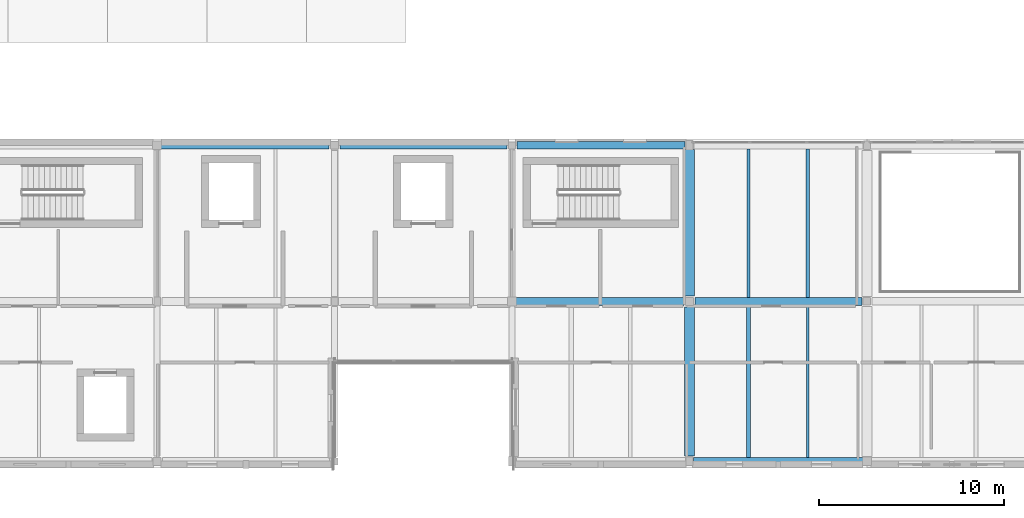
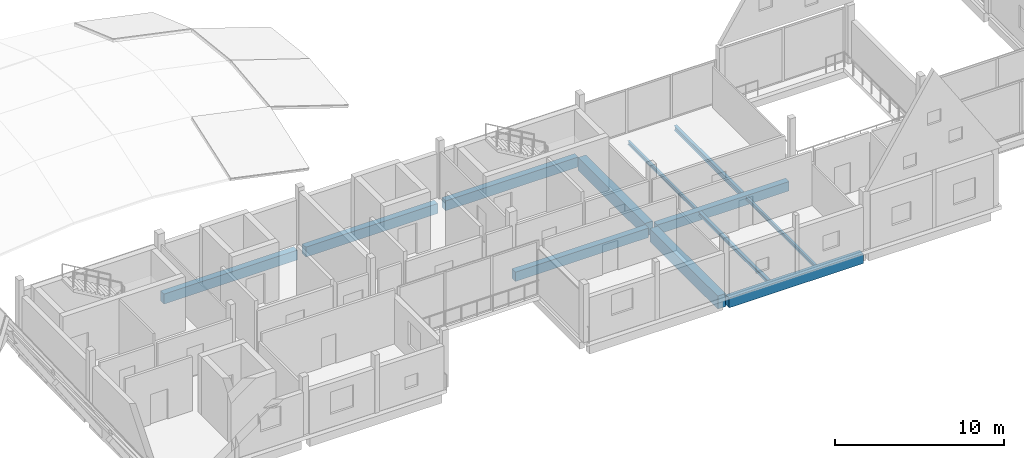
# One storey, part 7 of 35: 12 beams.
"""IFC4 building model written with IfcOpenShell, lengths in metres."""

from ifc_helpers import new_model, si_unit, direction, frame, origin, origin_2d, place, context, subcontext, project, spatial, rectangle, i_section, extrude, material, material_profile, profile_set, type_object, element, save


model = new_model("IFC4")

# Units and contexts
model_context = context("Model", 3, precision=1e-05, world=origin(), true_north=direction((0.0, 1.0)))
body_context = subcontext(model_context, "Body", "Model", "MODEL_VIEW")
ifc_project = project(units=[si_unit("LENGTHUNIT", "METRE"), si_unit("AREAUNIT", "SQUARE_METRE"), si_unit("VOLUMEUNIT", "CUBIC_METRE"), si_unit("PLANEANGLEUNIT", "RADIAN"), si_unit("MASSUNIT", "GRAM", prefix="KILO")], contexts=[model_context])

# Site, building, storey
site_placement = place(None, origin())
site = spatial("IfcSite", under=ifc_project, at=site_placement, CompositionType="ELEMENT")
building_placement = place(site_placement, origin())
building = spatial("IfcBuilding", under=site, at=building_placement, Name="Birchvale Park Specialist Clinic", CompositionType="ELEMENT")
storey_placement = place(building_placement, frame((0.0, 0.0, 13.800048828125)))
storey = spatial("IfcBuildingStorey", under=building, at=storey_placement, Name="L03", CompositionType="ELEMENT", Elevation=13.800048828125)

# Beams
ifc_material_1 = material(Name="Concrete C40/50", Category="concrete")
ifc_material_profile_1 = material_profile(ifc_material_1, rectangle(XDim=0.419921875, YDim=0.719970703125, at=origin_2d()), Name="RCB-420x720")
ifc_profile_set_1 = profile_set([ifc_material_profile_1], Name="Concrete C40/50")
beam_type_1 = type_object("IfcBeamType", Name="BM-EXT-BG3", PredefinedType="BEAM", material=ifc_profile_set_1)
beam_1_placement = place(storey_placement, frame((100.010009765625, 17.14990234375, -0.64013671875), z_axis=(1.0, 0.0, 0.0), x_axis=(0.0, 1.0, 0.0)))
element("IfcBeam", 1, at=beam_1_placement, inside=storey, type_object=beam_type_1, Name="V4 L03 X girder 4", PredefinedType="BEAM", context=body_context, shape_type="SweptSolid", body=[
    extrude(rectangle(XDim=0.419921875, YDim=0.719970703125, at=origin_2d()), origin(), (0.0, 0.0, 1.0), 9.205078125),
])
beam_2_placement = place(storey_placement, frame((71.18505859375, 34.25, -0.64013671875), z_axis=(1.0, 0.0, 0.0), x_axis=(0.0, 1.0, 0.0)))
element("IfcBeam", 2, at=beam_2_placement, inside=storey, type_object=beam_type_1, Name="V4 L03 X girder 13", PredefinedType="BEAM", context=body_context, shape_type="SweptSolid", body=[
    extrude(rectangle(XDim=0.419921875, YDim=0.719970703125, at=origin_2d()), origin(), (0.0, 0.0, 1.0), 9.125),
])
beam_3_placement = place(storey_placement, frame((80.889892578125, 34.25, -0.64013671875), z_axis=(1.0, 0.0, 0.0), x_axis=(0.0, 1.0, 0.0)))
element("IfcBeam", 3, at=beam_3_placement, inside=storey, type_object=beam_type_1, Name="V4 L03 X girder 14", PredefinedType="BEAM", context=body_context, shape_type="SweptSolid", body=[
    extrude(rectangle(XDim=0.419921875, YDim=0.719970703125, at=origin_2d()), origin(), (0.0, 0.0, 1.0), 9.045166015625),
])
beam_4_placement = place(storey_placement, frame((90.465087890625, 34.25, -0.64013671875), z_axis=(1.0, 0.0, 0.0), x_axis=(0.0, 1.0, 0.0)))
element("IfcBeam", 4, at=beam_4_placement, inside=storey, type_object=beam_type_1, Name="V4 L03 X girder 15", PredefinedType="BEAM", context=body_context, shape_type="SweptSolid", body=[
    extrude(rectangle(XDim=0.419921875, YDim=0.719970703125, at=origin_2d()), origin(), (0.0, 0.0, 1.0), 9.094970703125),
])
ifc_material_profile_2 = material_profile(ifc_material_1, rectangle(XDim=0.550048828125, YDim=0.93994140625, at=origin_2d()), Name="RCB-550x940")
ifc_profile_set_2 = profile_set([ifc_material_profile_2], Name="Concrete C40/50")
beam_type_2 = type_object("IfcBeamType", Name="BM-EXT-RB1", PredefinedType="BEAM", material=ifc_profile_set_2)
beam_5_placement = place(storey_placement, frame((99.800048828125, 17.43994140625, -0.75), z_axis=(0.0, 1.0, 0.0), x_axis=(-1.0, 0.0, 0.0)))
element("IfcBeam", 5, at=beam_5_placement, inside=storey, type_object=beam_type_2, Name="V4 L03 Y girder 26", PredefinedType="BEAM", context=body_context, shape_type="SweptSolid", body=[
    extrude(rectangle(XDim=0.550048828125, YDim=0.93994140625, at=origin_2d()), origin(), (0.0, 0.0, 1.0), 8.06005859375),
])
beam_6_placement = place(storey_placement, frame((99.800048828125, 26.10009765625, -0.75), z_axis=(0.0, 1.0, 0.0), x_axis=(-1.0, 0.0, 0.0)))
element("IfcBeam", 6, at=beam_6_placement, inside=storey, type_object=beam_type_2, Name="V4 L03 Y girder 27", PredefinedType="BEAM", context=body_context, shape_type="SweptSolid", body=[
    extrude(rectangle(XDim=0.550048828125, YDim=0.93994140625, at=origin_2d()), origin(), (0.0, 0.0, 1.0), 7.909912109375),
])
ifc_material_profile_3 = material_profile(ifc_material_1, rectangle(XDim=0.419921875, YDim=0.679931640625, at=origin_2d()), Name="RCB-420x680")
ifc_profile_set_3 = profile_set([ifc_material_profile_3], Name="Concrete C40/50")
beam_type_3 = type_object("IfcBeamType", Name="BM-INT-BG3", PredefinedType="BEAM", material=ifc_profile_set_3)
beam_7_placement = place(storey_placement, frame((90.375, 25.800048828125, -0.6201171875), z_axis=(1.0, 0.0, 0.0), x_axis=(0.0, 1.0, 0.0)))
element("IfcBeam", 7, at=beam_7_placement, inside=storey, type_object=beam_type_3, Name="V4 L03 X girder 9", PredefinedType="BEAM", context=body_context, shape_type="SweptSolid", body=[
    extrude(rectangle(XDim=0.419921875, YDim=0.679931640625, at=origin_2d()), origin(), (0.0, 0.0, 1.0), 9.125),
])
beam_8_placement = place(storey_placement, frame((100.10009765625, 25.800048828125, -0.6201171875), z_axis=(1.0, 0.0, 0.0), x_axis=(0.0, 1.0, 0.0)))
element("IfcBeam", 8, at=beam_8_placement, inside=storey, type_object=beam_type_3, Name="V4 L03 X girder 10", PredefinedType="BEAM", context=body_context, shape_type="SweptSolid", body=[
    extrude(rectangle(XDim=0.419921875, YDim=0.679931640625, at=origin_2d()), origin(), (0.0, 0.0, 1.0), 9.02490234375),
])
ifc_material_2 = material(Name="Steel ASTM A992 Grade 50", Category="steel")
ifc_material_profile_4 = material_profile(ifc_material_2, i_section(OverallWidth=0.2041015625, OverallDepth=0.35107421875, WebThickness=0.008544921875, FlangeThickness=0.01513671875, at=origin_2d()), Name="W14X48")
ifc_profile_set_4 = profile_set([ifc_material_profile_4], Name="Steel ASTM A992 Grade 50")
beam_type_4 = type_object("IfcBeamType", Name="STL-INT-SJ1", PredefinedType="JOIST", material=ifc_profile_set_4)
beam_9_placement = place(storey_placement, frame((106.199951171875, 26.010009765625, -0.45556640625), z_axis=(0.0, 1.0, 0.0), x_axis=(-1.0, 0.0, 0.0)))
element("IfcBeam", 9, at=beam_9_placement, inside=storey, type_object=beam_type_4, Name="V4 L03 secondary floor joist 10", PredefinedType="JOIST", context=body_context, shape_type="SweptSolid", body=[
    extrude(i_section(OverallWidth=0.2041015625, OverallDepth=0.35107421875, WebThickness=0.008544921875, FlangeThickness=0.01513671875, at=origin_2d()), origin(), (0.0, 0.0, 1.0), 8.030029296875),
])
ifc_material_profile_5 = material_profile(ifc_material_2, i_section(OverallWidth=0.202880859375, OverallDepth=0.251953125, WebThickness=0.008056640625, FlangeThickness=0.013427734375, at=origin_2d()), Name="W10X39")
ifc_profile_set_5 = profile_set([ifc_material_profile_5], Name="Steel ASTM A992 Grade 50")
beam_type_5 = type_object("IfcBeamType", Name="STL-INT-SJ4", PredefinedType="JOIST", material=ifc_profile_set_5)
beam_10_placement = place(storey_placement, frame((103.0, 17.360107421875, -0.406005859375), z_axis=(0.0, 1.0, 0.0), x_axis=(-1.0, 0.0, 0.0)))
element("IfcBeam", 10, at=beam_10_placement, inside=storey, type_object=beam_type_5, Name="V4 L03 secondary floor joist 7", PredefinedType="JOIST", context=body_context, shape_type="SweptSolid", body=[
    extrude(i_section(OverallWidth=0.202880859375, OverallDepth=0.251953125, WebThickness=0.008056640625, FlangeThickness=0.013427734375, at=origin_2d()), origin(), (0.0, 0.0, 1.0), 8.22998046875),
])
ifc_material_profile_6 = material_profile(ifc_material_2, i_section(OverallWidth=0.14697265625, OverallDepth=0.261962890625, WebThickness=0.006591796875, FlangeThickness=0.01123046875, at=origin_2d()), Name="W10X26")
ifc_profile_set_6 = profile_set([ifc_material_profile_6], Name="Steel ASTM A992 Grade 50")
beam_type_6 = type_object("IfcBeamType", Name="STL-INT-SJ5", PredefinedType="JOIST", material=ifc_profile_set_6)
beam_11_placement = place(storey_placement, frame((106.199951171875, 17.360107421875, -0.4111328125), z_axis=(0.0, 1.0, 0.0), x_axis=(-1.0, 0.0, 0.0)))
element("IfcBeam", 11, at=beam_11_placement, inside=storey, type_object=beam_type_6, Name="V4 L03 secondary floor joist 8", PredefinedType="JOIST", context=body_context, shape_type="SweptSolid", body=[
    extrude(i_section(OverallWidth=0.14697265625, OverallDepth=0.261962890625, WebThickness=0.006591796875, FlangeThickness=0.01123046875, at=origin_2d()), origin(), (0.0, 0.0, 1.0), 8.22998046875),
])
beam_12_placement = place(storey_placement, frame((103.0, 26.010009765625, -0.4111328125), z_axis=(0.0, 1.0, 0.0), x_axis=(-1.0, 0.0, 0.0)))
element("IfcBeam", 12, at=beam_12_placement, inside=storey, type_object=beam_type_6, Name="V4 L03 secondary floor joist 9", PredefinedType="JOIST", context=body_context, shape_type="SweptSolid", body=[
    extrude(i_section(OverallWidth=0.14697265625, OverallDepth=0.261962890625, WebThickness=0.006591796875, FlangeThickness=0.01123046875, at=origin_2d()), origin(), (0.0, 0.0, 1.0), 8.030029296875),
])

save(model, "model.ifc")
